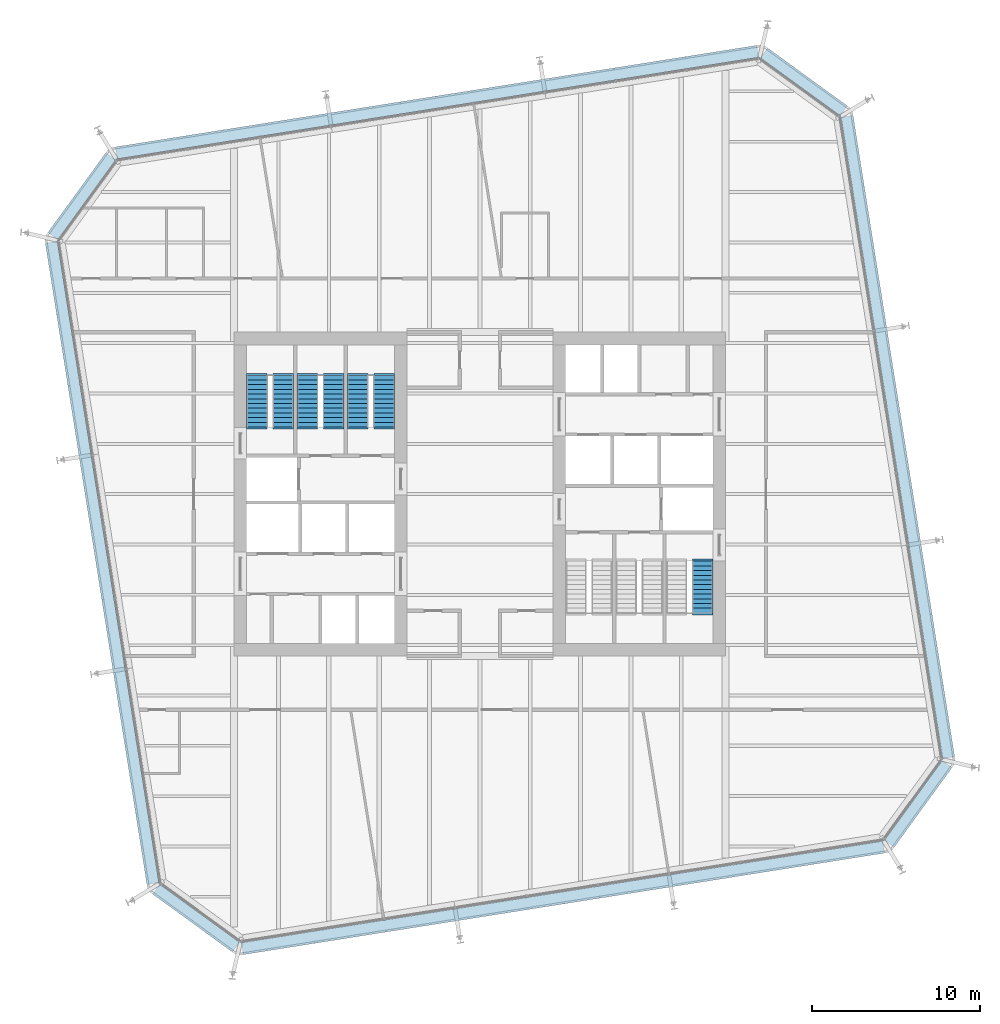
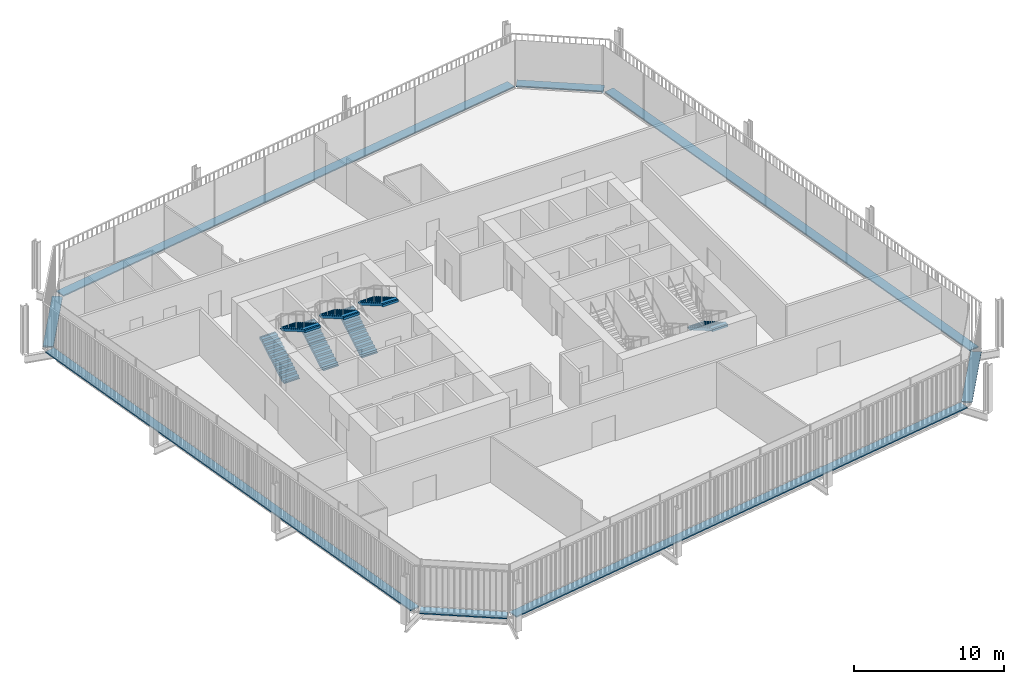
# One storey, part 20 of 21: 8 discrete accessories, 7 stair flights, 4 elements without a shape of their own.
"""IFC4 building model written with IfcOpenShell, lengths in metres."""

from ifc_helpers import new_model, si_unit, direction, frame, origin, origin_2d, place, context, subcontext, project, spatial, polyline, rectangle, outline, extrude, material, type_object, element, aggregate, save


model = new_model("IFC4")

# Units and contexts
model_context = context("Model", 3, precision=1e-05, world=origin(), true_north=direction((0.0, 1.0)))
body_context = subcontext(model_context, "Body", "Model", "MODEL_VIEW")
ifc_project = project(units=[si_unit("LENGTHUNIT", "METRE"), si_unit("AREAUNIT", "SQUARE_METRE"), si_unit("VOLUMEUNIT", "CUBIC_METRE"), si_unit("PLANEANGLEUNIT", "RADIAN"), si_unit("MASSUNIT", "GRAM", prefix="KILO")], contexts=[model_context])

# Site, building, storey
site_placement = place(None, origin())
site = spatial("IfcSite", under=ifc_project, at=site_placement, CompositionType="ELEMENT")
building_placement = place(site_placement, origin())
building = spatial("IfcBuilding", under=site, at=building_placement, Name="Millrace Tower", CompositionType="ELEMENT")
storey_placement = place(building_placement, frame((0.0, 0.0, 133.39990234375)))
storey = spatial("IfcBuildingStorey", under=building, at=storey_placement, Name="L29", CompositionType="ELEMENT", Elevation=133.39990234375)

# Stair, stair flights
ifc_material_1 = material(Name="Concrete C35", Category="concrete")
stair_type = type_object("IfcStairType", Name="Exit stair", PredefinedType="HALF_TURN_STAIR", material=ifc_material_1)
placement = place(storey_placement, origin())
stair_1 = element("IfcStair", 1, at=placement, inside=storey, type_object=stair_type, Name="Stair 1 W L29", PredefinedType="HALF_TURN_STAIR")
ifc_material_2 = material(Name="Concrete C35", Category="concrete")
stair_flight_type = type_object("IfcStairFlightType", Name="Exit stair flight", PredefinedType="STRAIGHT", material=ifc_material_2)
stair_flight_1_placement = place(storey_placement, frame((-13.2900390625, 4.0, 0.0), z_axis=(0.0, 0.0, 1.0), x_axis=(0.0, 1.0, 0.0)))
stair_flight_1 = element("IfcStairFlight", 2, at=stair_flight_1_placement, type_object=stair_flight_type, Name="ST12 flight 1", NumberOfRisers=12, NumberOfTreads=11, PredefinedType="STRAIGHT", RiserHeight=0.1625, TreadLength=0.28, context=body_context, shape_type="SweptSolid", body=[
    extrude(outline(polyline([(-0.1201171875, -0.0400390625), (-0.1201171875, 0.0), (0.0, 0.0), (0.0, 0.16259765625), (0.280029296875, 0.16259765625), (0.280029296875, 0.324951171875), (0.56005859375, 0.324951171875), (0.56005859375, 0.487548828125), (0.840087890625, 0.487548828125), (0.840087890625, 0.64990234375), (1.1201171875, 0.64990234375), (1.1201171875, 0.8125), (1.39990234375, 0.8125), (1.39990234375, 0.97509765625), (1.679931640625, 0.97509765625), (1.679931640625, 1.137451171875), (1.9599609375, 1.137451171875), (1.9599609375, 1.300048828125), (2.239990234375, 1.300048828125), (2.239990234375, 1.46240234375), (2.52001953125, 1.46240234375), (2.52001953125, 1.625), (2.800048828125, 1.625), (2.800048828125, 1.78759765625), (3.080078125, 1.78759765625), (3.080078125, 1.8076171875), (3.199951171875, 1.8076171875), (3.199951171875, 1.6142578125), (3.080078125, 1.6142578125), (0.298583984375, 0.0), (0.298583984375, -0.0400390625), (-0.1201171875, -0.0400390625)])), frame((0.0, 0.60986328125, 0.0), z_axis=(0.0, -1.0, 0.0), x_axis=(1.0, 0.0, 0.0)), (0.0, 0.0, 1.0), 1.219970703125),
])
stair_flight_2_placement = place(storey_placement, frame((-11.7099609375, 7.080078125, 1.9501953125), z_axis=(0.0, 0.0, 1.0), x_axis=(0.0, -1.0, 0.0)))
stair_flight_2 = element("IfcStairFlight", 3, at=stair_flight_2_placement, type_object=stair_flight_type, Name="ST12 flight 2", NumberOfRisers=12, NumberOfTreads=11, PredefinedType="STRAIGHT", RiserHeight=0.1625, TreadLength=0.28, context=body_context, shape_type="SweptSolid", body=[
    extrude(outline(polyline([(-0.1201171875, -0.0400390625), (-0.1201171875, 0.0), (0.0, 0.0), (0.0, 0.16259765625), (0.280029296875, 0.16259765625), (0.280029296875, 0.324951171875), (0.56005859375, 0.324951171875), (0.56005859375, 0.487548828125), (0.840087890625, 0.487548828125), (0.840087890625, 0.64990234375), (1.1201171875, 0.64990234375), (1.1201171875, 0.8125), (1.39990234375, 0.8125), (1.39990234375, 0.97509765625), (1.679931640625, 0.97509765625), (1.679931640625, 1.137451171875), (1.9599609375, 1.137451171875), (1.9599609375, 1.300048828125), (2.239990234375, 1.300048828125), (2.239990234375, 1.46240234375), (2.52001953125, 1.46240234375), (2.52001953125, 1.625), (2.800048828125, 1.625), (2.800048828125, 1.78759765625), (3.080078125, 1.78759765625), (3.080078125, 1.8076171875), (3.199951171875, 1.8076171875), (3.199951171875, 1.6142578125), (3.080078125, 1.6142578125), (0.298583984375, 0.0), (0.298583984375, -0.0400390625), (-0.1201171875, -0.0400390625)])), frame((0.0, 0.60986328125, 0.0), z_axis=(0.0, -1.0, 0.0), x_axis=(1.0, 0.0, 0.0)), (0.0, 0.0, 1.0), 1.219970703125),
])
aggregate(stair_1, [stair_flight_1, stair_flight_2])

stair_2 = element("IfcStair", 4, at=placement, inside=storey, type_object=stair_type, Name="Stair 2 W L29", PredefinedType="HALF_TURN_STAIR")
stair_flight_3_placement = place(storey_placement, frame((-10.2900390625, 4.0, 0.0), z_axis=(0.0, 0.0, 1.0), x_axis=(0.0, 1.0, 0.0)))
stair_flight_3 = element("IfcStairFlight", 5, at=stair_flight_3_placement, type_object=stair_flight_type, Name="ST12 flight 1", NumberOfRisers=12, NumberOfTreads=11, PredefinedType="STRAIGHT", RiserHeight=0.1625, TreadLength=0.28, context=body_context, shape_type="SweptSolid", body=[
    extrude(outline(polyline([(-0.1201171875, -0.0400390625), (-0.1201171875, 0.0), (0.0, 0.0), (0.0, 0.16259765625), (0.280029296875, 0.16259765625), (0.280029296875, 0.324951171875), (0.56005859375, 0.324951171875), (0.56005859375, 0.487548828125), (0.840087890625, 0.487548828125), (0.840087890625, 0.64990234375), (1.1201171875, 0.64990234375), (1.1201171875, 0.8125), (1.39990234375, 0.8125), (1.39990234375, 0.97509765625), (1.679931640625, 0.97509765625), (1.679931640625, 1.137451171875), (1.9599609375, 1.137451171875), (1.9599609375, 1.300048828125), (2.239990234375, 1.300048828125), (2.239990234375, 1.46240234375), (2.52001953125, 1.46240234375), (2.52001953125, 1.625), (2.800048828125, 1.625), (2.800048828125, 1.78759765625), (3.080078125, 1.78759765625), (3.080078125, 1.8076171875), (3.199951171875, 1.8076171875), (3.199951171875, 1.6142578125), (3.080078125, 1.6142578125), (0.298583984375, 0.0), (0.298583984375, -0.0400390625), (-0.1201171875, -0.0400390625)])), frame((0.0, 0.60986328125, 0.0), z_axis=(0.0, -1.0, 0.0), x_axis=(1.0, 0.0, 0.0)), (0.0, 0.0, 1.0), 1.219970703125),
])
stair_flight_4_placement = place(storey_placement, frame((-8.7099609375, 7.080078125, 1.9501953125), z_axis=(0.0, 0.0, 1.0), x_axis=(0.0, -1.0, 0.0)))
stair_flight_4 = element("IfcStairFlight", 6, at=stair_flight_4_placement, type_object=stair_flight_type, Name="ST12 flight 2", NumberOfRisers=12, NumberOfTreads=11, PredefinedType="STRAIGHT", RiserHeight=0.1625, TreadLength=0.28, context=body_context, shape_type="SweptSolid", body=[
    extrude(outline(polyline([(-0.1201171875, -0.0400390625), (-0.1201171875, 0.0), (0.0, 0.0), (0.0, 0.16259765625), (0.280029296875, 0.16259765625), (0.280029296875, 0.324951171875), (0.56005859375, 0.324951171875), (0.56005859375, 0.487548828125), (0.840087890625, 0.487548828125), (0.840087890625, 0.64990234375), (1.1201171875, 0.64990234375), (1.1201171875, 0.8125), (1.39990234375, 0.8125), (1.39990234375, 0.97509765625), (1.679931640625, 0.97509765625), (1.679931640625, 1.137451171875), (1.9599609375, 1.137451171875), (1.9599609375, 1.300048828125), (2.239990234375, 1.300048828125), (2.239990234375, 1.46240234375), (2.52001953125, 1.46240234375), (2.52001953125, 1.625), (2.800048828125, 1.625), (2.800048828125, 1.78759765625), (3.080078125, 1.78759765625), (3.080078125, 1.8076171875), (3.199951171875, 1.8076171875), (3.199951171875, 1.6142578125), (3.080078125, 1.6142578125), (0.298583984375, 0.0), (0.298583984375, -0.0400390625), (-0.1201171875, -0.0400390625)])), frame((0.0, 0.60986328125, 0.0), z_axis=(0.0, -1.0, 0.0), x_axis=(1.0, 0.0, 0.0)), (0.0, 0.0, 1.0), 1.219970703125),
])
aggregate(stair_2, [stair_flight_3, stair_flight_4])

stair_3 = element("IfcStair", 7, at=placement, inside=storey, type_object=stair_type, Name="Stair 3 W L29", PredefinedType="HALF_TURN_STAIR")
stair_flight_5_placement = place(storey_placement, frame((-7.2900390625, 4.0, 0.0), z_axis=(0.0, 0.0, 1.0), x_axis=(0.0, 1.0, 0.0)))
stair_flight_5 = element("IfcStairFlight", 8, at=stair_flight_5_placement, type_object=stair_flight_type, Name="ST12 flight 1", NumberOfRisers=12, NumberOfTreads=11, PredefinedType="STRAIGHT", RiserHeight=0.1625, TreadLength=0.28, context=body_context, shape_type="SweptSolid", body=[
    extrude(outline(polyline([(-0.1201171875, -0.0400390625), (-0.1201171875, 0.0), (0.0, 0.0), (0.0, 0.16259765625), (0.280029296875, 0.16259765625), (0.280029296875, 0.324951171875), (0.56005859375, 0.324951171875), (0.56005859375, 0.487548828125), (0.840087890625, 0.487548828125), (0.840087890625, 0.64990234375), (1.1201171875, 0.64990234375), (1.1201171875, 0.8125), (1.39990234375, 0.8125), (1.39990234375, 0.97509765625), (1.679931640625, 0.97509765625), (1.679931640625, 1.137451171875), (1.9599609375, 1.137451171875), (1.9599609375, 1.300048828125), (2.239990234375, 1.300048828125), (2.239990234375, 1.46240234375), (2.52001953125, 1.46240234375), (2.52001953125, 1.625), (2.800048828125, 1.625), (2.800048828125, 1.78759765625), (3.080078125, 1.78759765625), (3.080078125, 1.8076171875), (3.199951171875, 1.8076171875), (3.199951171875, 1.6142578125), (3.080078125, 1.6142578125), (0.298583984375, 0.0), (0.298583984375, -0.0400390625), (-0.1201171875, -0.0400390625)])), frame((0.0, 0.60986328125, 0.0), z_axis=(0.0, -1.0, 0.0), x_axis=(1.0, 0.0, 0.0)), (0.0, 0.0, 1.0), 1.219970703125),
])
stair_flight_6_placement = place(storey_placement, frame((-5.7099609375, 7.080078125, 1.9501953125), z_axis=(0.0, 0.0, 1.0), x_axis=(0.0, -1.0, 0.0)))
stair_flight_6 = element("IfcStairFlight", 9, at=stair_flight_6_placement, type_object=stair_flight_type, Name="ST12 flight 2", NumberOfRisers=12, NumberOfTreads=11, PredefinedType="STRAIGHT", RiserHeight=0.1625, TreadLength=0.28, context=body_context, shape_type="SweptSolid", body=[
    extrude(outline(polyline([(-0.1201171875, -0.0400390625), (-0.1201171875, 0.0), (0.0, 0.0), (0.0, 0.16259765625), (0.280029296875, 0.16259765625), (0.280029296875, 0.324951171875), (0.56005859375, 0.324951171875), (0.56005859375, 0.487548828125), (0.840087890625, 0.487548828125), (0.840087890625, 0.64990234375), (1.1201171875, 0.64990234375), (1.1201171875, 0.8125), (1.39990234375, 0.8125), (1.39990234375, 0.97509765625), (1.679931640625, 0.97509765625), (1.679931640625, 1.137451171875), (1.9599609375, 1.137451171875), (1.9599609375, 1.300048828125), (2.239990234375, 1.300048828125), (2.239990234375, 1.46240234375), (2.52001953125, 1.46240234375), (2.52001953125, 1.625), (2.800048828125, 1.625), (2.800048828125, 1.78759765625), (3.080078125, 1.78759765625), (3.080078125, 1.8076171875), (3.199951171875, 1.8076171875), (3.199951171875, 1.6142578125), (3.080078125, 1.6142578125), (0.298583984375, 0.0), (0.298583984375, -0.0400390625), (-0.1201171875, -0.0400390625)])), frame((0.0, 0.60986328125, 0.0), z_axis=(0.0, -1.0, 0.0), x_axis=(1.0, 0.0, 0.0)), (0.0, 0.0, 1.0), 1.219970703125),
])
aggregate(stair_3, [stair_flight_5, stair_flight_6])

# Stair, stair flight
stair_4 = element("IfcStair", 10, at=placement, inside=storey, type_object=stair_type, Name="Stair 1 E L29", PredefinedType="HALF_TURN_STAIR")
stair_flight_7_placement = place(storey_placement, frame((13.2900390625, -4.0, 0.0), z_axis=(0.0, 0.0, 1.0), x_axis=(0.0, -1.0, 0.0)))
stair_flight_7 = element("IfcStairFlight", 11, at=stair_flight_7_placement, type_object=stair_flight_type, Name="ST12 flight 1", NumberOfRisers=12, NumberOfTreads=11, PredefinedType="STRAIGHT", RiserHeight=0.1625, TreadLength=0.28, context=body_context, shape_type="SweptSolid", body=[
    extrude(outline(polyline([(-0.1201171875, -0.0400390625), (-0.1201171875, 0.0), (0.0, 0.0), (0.0, 0.16259765625), (0.280029296875, 0.16259765625), (0.280029296875, 0.324951171875), (0.56005859375, 0.324951171875), (0.56005859375, 0.487548828125), (0.840087890625, 0.487548828125), (0.840087890625, 0.64990234375), (1.1201171875, 0.64990234375), (1.1201171875, 0.8125), (1.39990234375, 0.8125), (1.39990234375, 0.97509765625), (1.679931640625, 0.97509765625), (1.679931640625, 1.137451171875), (1.9599609375, 1.137451171875), (1.9599609375, 1.300048828125), (2.239990234375, 1.300048828125), (2.239990234375, 1.46240234375), (2.52001953125, 1.46240234375), (2.52001953125, 1.625), (2.800048828125, 1.625), (2.800048828125, 1.78759765625), (3.080078125, 1.78759765625), (3.080078125, 1.8076171875), (3.199951171875, 1.8076171875), (3.199951171875, 1.6142578125), (3.080078125, 1.6142578125), (0.298583984375, 0.0), (0.298583984375, -0.0400390625), (-0.1201171875, -0.0400390625)])), frame((0.0, 0.60986328125, 0.0), z_axis=(0.0, -1.0, 0.0), x_axis=(1.0, 0.0, 0.0)), (0.0, 0.0, 1.0), 1.219970703125),
])
aggregate(stair_4, [stair_flight_7])

# Discrete accessories
ifc_material_3 = material(Name="Stainless steel ASTM A240 type 316", Category="steel")
discrete_accessory_type = type_object("IfcDiscreteAccessoryType", Name="Thermally broken screen support rail", PredefinedType="BRACKET", material=ifc_material_3)
discrete_accessory_1_placement = place(storey_placement, frame((-16.909423828125, -25.275390625, 0.0), z_axis=(0.0, 0.0, 1.0), x_axis=(0.809016981623, -0.587785269844, 0.0)))
element("IfcDiscreteAccessory", 12, at=discrete_accessory_1_placement, inside=storey, type_object=discrete_accessory_type, Name="Thermally broken screen support rail C-F01 L29 1", PredefinedType="BRACKET", context=body_context, shape_type="SweptSolid", body=[
    extrude(rectangle(XDim=5.868896484375, YDim=0.719970703125, at=origin_2d()), origin(), (0.0, 0.0, 1.0), 0.10009765625),
])
discrete_accessory_2_placement = place(storey_placement, frame((4.9560546875, -24.064453125, 0.0), z_axis=(0.0, 0.0, 1.0), x_axis=(0.98768833929, 0.15643447328, 0.0)))
element("IfcDiscreteAccessory", 13, at=discrete_accessory_2_placement, inside=storey, type_object=discrete_accessory_type, Name="Thermally broken screen support rail C-F02 L29 1", PredefinedType="BRACKET", context=body_context, shape_type="SweptSolid", body=[
    extrude(rectangle(XDim=38.699951171875, YDim=0.719970703125, at=origin_2d()), origin(), (0.0, 0.0, 1.0), 0.10009765625),
])
discrete_accessory_3_placement = place(storey_placement, frame((26.12548828125, -18.45947265625, 0.0), z_axis=(0.0, 0.0, 1.0), x_axis=(0.587785269844, 0.809016981623, 0.0)))
element("IfcDiscreteAccessory", 14, at=discrete_accessory_3_placement, inside=storey, type_object=discrete_accessory_type, Name="Thermally broken screen support rail C-F03 L29 1", PredefinedType="BRACKET", context=body_context, shape_type="SweptSolid", body=[
    extrude(rectangle(XDim=5.868896484375, YDim=0.719970703125, at=origin_2d()), origin(), (0.0, 0.0, 1.0), 0.10009765625),
])
discrete_accessory_4_placement = place(storey_placement, frame((24.914306640625, 3.406005859375, 0.0), z_axis=(0.0, 0.0, 1.0), x_axis=(-0.15643447328, 0.98768833929, 0.0)))
element("IfcDiscreteAccessory", 15, at=discrete_accessory_4_placement, inside=storey, type_object=discrete_accessory_type, Name="Thermally broken screen support rail C-F04 L29 1", PredefinedType="BRACKET", context=body_context, shape_type="SweptSolid", body=[
    extrude(rectangle(XDim=38.699951171875, YDim=0.719970703125, at=origin_2d()), origin(), (0.0, 0.0, 1.0), 0.10009765625),
])
discrete_accessory_5_placement = place(storey_placement, frame((19.309326171875, 24.575439453125, 0.0), z_axis=(0.0, 0.0, 1.0), x_axis=(-0.809016981623, 0.587785269844, 0.0)))
element("IfcDiscreteAccessory", 16, at=discrete_accessory_5_placement, inside=storey, type_object=discrete_accessory_type, Name="Thermally broken screen support rail C-F05 L29 1", PredefinedType="BRACKET", context=body_context, shape_type="SweptSolid", body=[
    extrude(rectangle(XDim=5.868896484375, YDim=0.719970703125, at=origin_2d()), origin(), (0.0, 0.0, 1.0), 0.10009765625),
])
discrete_accessory_6_placement = place(storey_placement, frame((-2.555908203125, 23.364501953125, 0.0), z_axis=(0.0, 0.0, 1.0), x_axis=(-0.98768833929, -0.15643447328, 0.0)))
element("IfcDiscreteAccessory", 17, at=discrete_accessory_6_placement, inside=storey, type_object=discrete_accessory_type, Name="Thermally broken screen support rail C-F06 L29 1", PredefinedType="BRACKET", context=body_context, shape_type="SweptSolid", body=[
    extrude(rectangle(XDim=38.699951171875, YDim=0.719970703125, at=origin_2d()), origin(), (0.0, 0.0, 1.0), 0.10009765625),
])
discrete_accessory_7_placement = place(storey_placement, frame((-23.725341796875, 17.75927734375, 0.0), z_axis=(0.0, 0.0, 1.0), x_axis=(-0.587785269844, -0.809016981623, 0.0)))
element("IfcDiscreteAccessory", 18, at=discrete_accessory_7_placement, inside=storey, type_object=discrete_accessory_type, Name="Thermally broken screen support rail C-F07 L29 1", PredefinedType="BRACKET", context=body_context, shape_type="SweptSolid", body=[
    extrude(rectangle(XDim=5.868896484375, YDim=0.719970703125, at=origin_2d()), origin(), (0.0, 0.0, 1.0), 0.10009765625),
])
discrete_accessory_8_placement = place(storey_placement, frame((-22.514404296875, -4.10595703125, 0.0), z_axis=(0.0, 0.0, 1.0), x_axis=(0.15643447328, -0.98768833929, 0.0)))
element("IfcDiscreteAccessory", 19, at=discrete_accessory_8_placement, inside=storey, type_object=discrete_accessory_type, Name="Thermally broken screen support rail C-F08 L29 1", PredefinedType="BRACKET", context=body_context, shape_type="SweptSolid", body=[
    extrude(rectangle(XDim=38.699951171875, YDim=0.719970703125, at=origin_2d()), origin(), (0.0, 0.0, 1.0), 0.10009765625),
])

save(model, "model.ifc")
